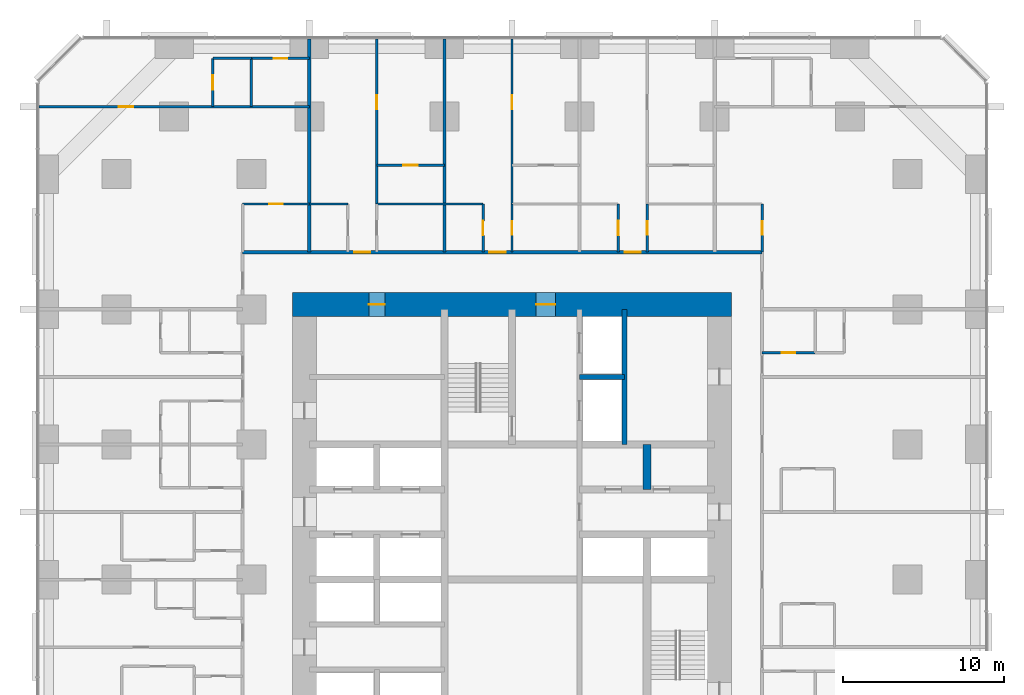
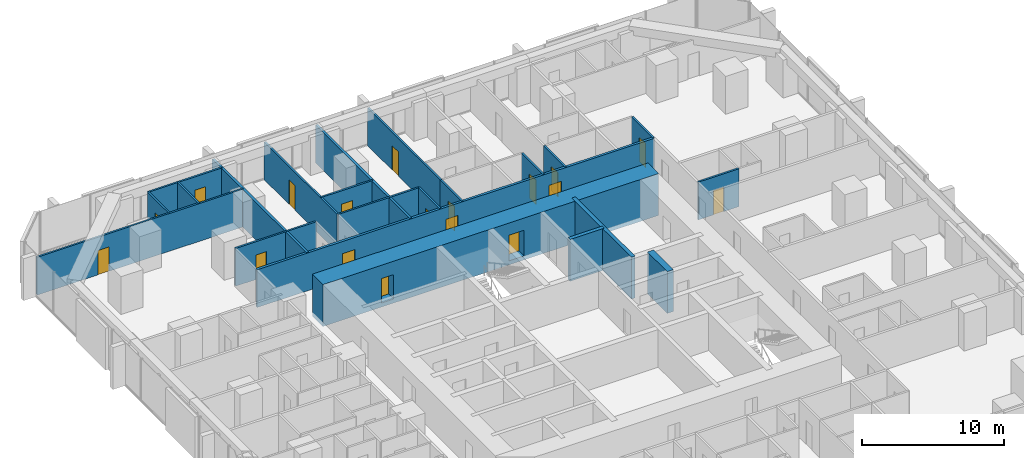
# One storey, part 15 of 17: 24 walls, 18 doors, 18 openings.
"""IFC4 building model written with IfcOpenShell, lengths in metres."""

from ifc_helpers import new_model, si_unit, direction, frame, frame_2d, origin, place, context, subcontext, project, spatial, rectangle, extrude, material, layer, layer_set, type_object, element, fill, save


model = new_model("IFC4")

# Units and contexts
model_context = context("Model", 3, precision=1e-05, world=origin(), true_north=direction((0.0, 1.0)))
body_context = subcontext(model_context, "Body", "Model", "MODEL_VIEW")
ifc_project = project(units=[si_unit("LENGTHUNIT", "METRE"), si_unit("AREAUNIT", "SQUARE_METRE"), si_unit("VOLUMEUNIT", "CUBIC_METRE"), si_unit("PLANEANGLEUNIT", "RADIAN"), si_unit("MASSUNIT", "GRAM", prefix="KILO")], contexts=[model_context])

# Site, building, storey
site_placement = place(None, origin())
site = spatial("IfcSite", under=ifc_project, at=site_placement, CompositionType="ELEMENT")
building_placement = place(site_placement, origin())
building = spatial("IfcBuilding", under=site, at=building_placement, Name="Dunama Terrace Hotel", CompositionType="ELEMENT")
storey_placement = place(building_placement, frame((0.0, 0.0, 52.199951171875)))
storey = spatial("IfcBuildingStorey", under=building, at=storey_placement, Name="L12", CompositionType="ELEMENT", Elevation=52.199951171875)

# Wall, opening, door
ifc_material_1 = material(Name="Gypsum board partition", Category="masonry")
ifc_layer_1 = layer(ifc_material_1, 0.14990234375)
ifc_layer_set_1 = layer_set([ifc_layer_1], Name="Bathroom partition 150")
wall_type_1 = type_object("IfcWallType", Name="Bathroom partition 150", PredefinedType="PARTITIONING", material=ifc_layer_set_1)
wall_1_placement = place(storey_placement, frame((29.39990234375, 45.550048828125, 0.0), z_axis=(0.0, 0.0, 1.0), x_axis=(0.0, 1.0, 0.0)))
wall_1 = element("IfcWall", 1, at=wall_1_placement, inside=storey, type_object=wall_type_1, Name="Bathroom partition 150 L12", PredefinedType="PARTITIONING", context=body_context, shape_type="SweptSolid", body=[
    extrude(rectangle(XDim=3.0, YDim=0.14990234375, at=frame_2d((1.5, 0.0))), origin(), (0.0, 0.0, 1.0), 3.25),
])
opening_1_placement = place(wall_1_placement, frame((1.074951171875, 0.0, 0.0)))
opening_1 = element("IfcOpeningElement", 2, at=opening_1_placement, cuts=wall_1, Name="Opening L12-041", PredefinedType="OPENING", context=body_context, shape_type="SweptSolid", body=[
    extrude(rectangle(XDim=0.85009765625, YDim=2.10009765625, at=frame_2d((0.425048828125, 1.050048828125))), frame((0.0, 0.0849609375, 0.0), z_axis=(0.0, -1.0, 0.0), x_axis=(1.0, 0.0, 0.0)), (0.0, 0.0, 1.0), 0.169921875),
])
ifc_material_2 = material(Name="Timber door with steel frame", Category="steel")
door_type_1 = type_object("IfcDoorType", Name="Bathroom door 850", OperationType="SINGLE_SWING_LEFT", PredefinedType="DOOR", material=ifc_material_2)
door_1_placement = place(opening_1_placement, frame((0.85009765625, 0.0, 0.0), z_axis=(0.0, 0.0, 1.0), x_axis=(-1.0, 0.0, 0.0)))
door_1 = element("IfcDoor", 3, at=door_1_placement, inside=storey, type_object=door_type_1, Name="Door to residence bathroom L12-041, type D2", OperationType="SINGLE_SWING_RIGHT", OverallHeight=2.10009765625, OverallWidth=0.85009765625, PredefinedType="DOOR", context=body_context, shape_type="SweptSolid", body=[
    extrude(rectangle(XDim=0.85009765625, YDim=2.10009765625, at=frame_2d((0.425048828125, 1.050048828125))), frame((0.0, 0.025146484375, 0.0), z_axis=(0.0, -1.0, 0.0), x_axis=(1.0, 0.0, 0.0)), (0.0, 0.0, 1.0), 0.050048828125),
])
fill(opening_1, door_1)

wall_2_placement = place(storey_placement, frame((37.800048828125, 45.550048828125, 0.0), z_axis=(0.0, 0.0, 1.0), x_axis=(0.0, 1.0, 0.0)))
wall_2 = element("IfcWall", 4, at=wall_2_placement, inside=storey, type_object=wall_type_1, Name="Bathroom partition 150 L12", PredefinedType="PARTITIONING", context=body_context, shape_type="SweptSolid", body=[
    extrude(rectangle(XDim=3.0, YDim=0.14990234375, at=frame_2d((1.5, 0.0))), origin(), (0.0, 0.0, 1.0), 3.25),
])
opening_2_placement = place(wall_2_placement, frame((1.074951171875, 0.0, 0.0)))
opening_2 = element("IfcOpeningElement", 5, at=opening_2_placement, cuts=wall_2, Name="Opening L12-046", PredefinedType="OPENING", context=body_context, shape_type="SweptSolid", body=[
    extrude(rectangle(XDim=0.85009765625, YDim=2.10009765625, at=frame_2d((0.425048828125, 1.050048828125))), frame((0.0, 0.0849609375, 0.0), z_axis=(0.0, -1.0, 0.0), x_axis=(1.0, 0.0, 0.0)), (0.0, 0.0, 1.0), 0.169921875),
])
door_2_placement = place(opening_2_placement, frame((0.85009765625, 0.0, 0.0), z_axis=(0.0, 0.0, 1.0), x_axis=(-1.0, 0.0, 0.0)))
door_2 = element("IfcDoor", 6, at=door_2_placement, inside=storey, type_object=door_type_1, Name="Door to residence bathroom L12-046, type D2", OperationType="SINGLE_SWING_RIGHT", OverallHeight=2.10009765625, OverallWidth=0.85009765625, PredefinedType="DOOR", context=body_context, shape_type="SweptSolid", body=[
    extrude(rectangle(XDim=0.85009765625, YDim=2.10009765625, at=frame_2d((0.425048828125, 1.050048828125))), frame((0.0, 0.025146484375, 0.0), z_axis=(0.0, -1.0, 0.0), x_axis=(1.0, 0.0, 0.0)), (0.0, 0.0, 1.0), 0.050048828125),
])
fill(opening_2, door_2)

wall_3_placement = place(storey_placement, frame((44.949951171875, 45.550048828125, 0.0), z_axis=(0.0, 0.0, 1.0), x_axis=(0.0, 1.0, 0.0)))
wall_3 = element("IfcWall", 7, at=wall_3_placement, inside=storey, type_object=wall_type_1, Name="Bathroom partition 150 L12", PredefinedType="PARTITIONING", context=body_context, shape_type="SweptSolid", body=[
    extrude(rectangle(XDim=3.0, YDim=0.14990234375, at=frame_2d((1.5, 0.0))), origin(), (0.0, 0.0, 1.0), 3.25),
])
opening_3_placement = place(wall_3_placement, frame((1.074951171875, 0.0, 0.0)))
opening_3 = element("IfcOpeningElement", 8, at=opening_3_placement, cuts=wall_3, Name="Opening L12-078", PredefinedType="OPENING", context=body_context, shape_type="SweptSolid", body=[
    extrude(rectangle(XDim=0.85009765625, YDim=2.10009765625, at=frame_2d((0.425048828125, 1.050048828125))), frame((0.0, 0.0849609375, 0.0), z_axis=(0.0, -1.0, 0.0), x_axis=(1.0, 0.0, 0.0)), (0.0, 0.0, 1.0), 0.169921875),
])
door_3_placement = place(opening_3_placement, origin())
door_3 = element("IfcDoor", 9, at=door_3_placement, inside=storey, type_object=door_type_1, Name="Door to powder room L12-078, type D2", OperationType="SINGLE_SWING_LEFT", OverallHeight=2.10009765625, OverallWidth=0.85009765625, PredefinedType="DOOR", context=body_context, shape_type="SweptSolid", body=[
    extrude(rectangle(XDim=0.85009765625, YDim=2.10009765625, at=frame_2d((0.425048828125, 1.050048828125))), frame((0.0, 0.02490234375, 0.0), z_axis=(0.0, -1.0, 0.0), x_axis=(1.0, 0.0, 0.0)), (0.0, 0.0, 1.0), 0.050048828125),
])
fill(opening_3, door_3)

wall_4_placement = place(storey_placement, frame((44.949951171875, 39.300048828125, 0.0), z_axis=(0.0, 0.0, 1.0), x_axis=(1.0, 0.0, 0.0)))
wall_4 = element("IfcWall", 10, at=wall_4_placement, inside=storey, type_object=wall_type_1, Name="Bathroom partition 150 L12", PredefinedType="PARTITIONING", context=body_context, shape_type="SweptSolid", body=[
    extrude(rectangle(XDim=3.300048828125, YDim=0.14990234375, at=frame_2d((1.64990234375, 0.0))), origin(), (0.0, 0.0, 1.0), 3.25),
])
opening_4_placement = place(wall_4_placement, frame((1.22509765625, 0.0, 0.0)))
opening_4 = element("IfcOpeningElement", 11, at=opening_4_placement, cuts=wall_4, Name="Opening L12-032", PredefinedType="OPENING", context=body_context, shape_type="SweptSolid", body=[
    extrude(rectangle(XDim=0.85009765625, YDim=2.10009765625, at=frame_2d((0.425048828125, 1.050048828125))), frame((0.0, 0.0849609375, 0.0), z_axis=(0.0, -1.0, 0.0), x_axis=(1.0, 0.0, 0.0)), (0.0, 0.0, 1.0), 0.169921875),
])
door_4_placement = place(opening_4_placement, origin())
door_4 = element("IfcDoor", 12, at=door_4_placement, inside=storey, type_object=door_type_1, Name="Door to en-suite bathroom L12-032, type D2", OperationType="SINGLE_SWING_LEFT", OverallHeight=2.10009765625, OverallWidth=0.85009765625, PredefinedType="DOOR", context=body_context, shape_type="SweptSolid", body=[
    extrude(rectangle(XDim=0.85009765625, YDim=2.10009765625, at=frame_2d((0.425048828125, 1.050048828125))), frame((0.0, 0.02490234375, 0.0), z_axis=(0.0, -1.0, 0.0), x_axis=(1.0, 0.0, 0.0)), (0.0, 0.0, 1.0), 0.050048828125),
])
fill(opening_4, door_4)

wall_5_placement = place(storey_placement, frame((12.64990234375, 48.550048828125, 0.0), z_axis=(0.0, 0.0, 1.0), x_axis=(1.0, 0.0, 0.0)))
wall_5 = element("IfcWall", 13, at=wall_5_placement, inside=storey, type_object=wall_type_1, Name="Bathroom partition 150 L12", PredefinedType="PARTITIONING", context=body_context, shape_type="SweptSolid", body=[
    extrude(rectangle(XDim=4.150146484375, YDim=0.14990234375, at=frame_2d((2.0751953125, 0.0))), origin(), (0.0, 0.0, 1.0), 3.25),
])
opening_5_placement = place(wall_5_placement, frame((1.64990234375, 0.0, 0.0)))
opening_5 = element("IfcOpeningElement", 14, at=opening_5_placement, cuts=wall_5, Name="Opening L12-083", PredefinedType="OPENING", context=body_context, shape_type="SweptSolid", body=[
    extrude(rectangle(XDim=0.85009765625, YDim=2.10009765625, at=frame_2d((0.425048828125, 1.050048828125))), frame((0.0, 0.0849609375, 0.0), z_axis=(0.0, -1.0, 0.0), x_axis=(1.0, 0.0, 0.0)), (0.0, 0.0, 1.0), 0.169921875),
])
door_5_placement = place(opening_5_placement, frame((0.85009765625, 0.0, 0.0), z_axis=(0.0, 0.0, 1.0), x_axis=(-1.0, 0.0, 0.0)))
door_5 = element("IfcDoor", 15, at=door_5_placement, inside=storey, type_object=door_type_1, Name="Door to powder room L12-083, type D2", OperationType="SINGLE_SWING_RIGHT", OverallHeight=2.10009765625, OverallWidth=0.85009765625, PredefinedType="DOOR", context=body_context, shape_type="SweptSolid", body=[
    extrude(rectangle(XDim=0.85009765625, YDim=2.10009765625, at=frame_2d((0.425048828125, 1.050048828125))), frame((0.0, 0.025146484375, 0.0), z_axis=(0.0, -1.0, 0.0), x_axis=(1.0, 0.0, 0.0)), (0.0, 0.0, 1.0), 0.050048828125),
])
fill(opening_5, door_5)

wall_6_placement = place(storey_placement, frame((13.199951171875, 57.60009765625, 0.0), z_axis=(0.0, 0.0, 1.0), x_axis=(1.0, 0.0, 0.0)))
wall_6 = element("IfcWall", 16, at=wall_6_placement, inside=storey, type_object=wall_type_1, Name="Bathroom partition 150 L12", PredefinedType="PARTITIONING", context=body_context, shape_type="SweptSolid", body=[
    extrude(rectangle(XDim=3.60009765625, YDim=0.14990234375, at=frame_2d((1.800048828125, 0.0))), origin(), (0.0, 0.0, 1.0), 3.25),
])
opening_6_placement = place(wall_6_placement, frame((1.375, 0.0, 0.0)))
opening_6 = element("IfcOpeningElement", 17, at=opening_6_placement, cuts=wall_6, Name="Opening L12-085", PredefinedType="OPENING", context=body_context, shape_type="SweptSolid", body=[
    extrude(rectangle(XDim=0.85009765625, YDim=2.10009765625, at=frame_2d((0.425048828125, 1.050048828125))), frame((0.0, 0.0849609375, 0.0), z_axis=(0.0, -1.0, 0.0), x_axis=(1.0, 0.0, 0.0)), (0.0, 0.0, 1.0), 0.169921875),
])
door_6_placement = place(opening_6_placement, frame((0.85009765625, 0.0, 0.0), z_axis=(0.0, 0.0, 1.0), x_axis=(-1.0, 0.0, 0.0)))
door_6 = element("IfcDoor", 18, at=door_6_placement, inside=storey, type_object=door_type_1, Name="Door to en-suite bathroom L12-085, type D2", OperationType="SINGLE_SWING_LEFT", OverallHeight=2.10009765625, OverallWidth=0.85009765625, PredefinedType="DOOR", context=body_context, shape_type="SweptSolid", body=[
    extrude(rectangle(XDim=0.85009765625, YDim=2.10009765625, at=frame_2d((0.425048828125, 1.050048828125))), frame((0.0, 0.025146484375, 0.0), z_axis=(0.0, -1.0, 0.0), x_axis=(1.0, 0.0, 0.0)), (0.0, 0.0, 1.0), 0.050048828125),
])
fill(opening_6, door_6)

# Walls
ifc_material_3 = material(Name="Concrete C50/60", Category="concrete")
ifc_layer_2 = layer(ifc_material_3, 0.300048828125)
ifc_layer_set_2 = layer_set([ifc_layer_2], Name="Core inner wall 300")
wall_type_2 = type_object("IfcWallType", Name="Core inner wall 300", PredefinedType="SHEAR", material=ifc_layer_set_2)
wall_7_placement = place(storey_placement, frame((36.39990234375, 33.60009765625, -0.349853515625), z_axis=(0.0, 0.0, 1.0), x_axis=(0.0, 1.0, 0.0)))
element("IfcWall", 19, at=wall_7_placement, inside=storey, type_object=wall_type_2, Name="Core inner wall 300 L12", PredefinedType="SHEAR", context=body_context, shape_type="SweptSolid", body=[
    extrude(rectangle(XDim=8.39990234375, YDim=0.300048828125, at=frame_2d((4.199951171875, 0.0))), origin(), (0.0, 0.0, 1.0), 3.599853515625),
])
wall_8_placement = place(storey_placement, frame((33.60009765625, 37.800048828125, -0.349853515625), z_axis=(0.0, 0.0, 1.0), x_axis=(1.0, 0.0, 0.0)))
element("IfcWall", 20, at=wall_8_placement, inside=storey, type_object=wall_type_2, Name="Core inner wall 300 L12", PredefinedType="SHEAR", context=body_context, shape_type="SweptSolid", body=[
    extrude(rectangle(XDim=2.7998046875, YDim=0.300048828125, at=frame_2d((1.39990234375, 0.0))), origin(), (0.0, 0.0, 1.0), 3.599853515625),
])
ifc_material_4 = material(Name="Concrete C50/60", Category="concrete")
ifc_layer_3 = layer(ifc_material_4, 0.5)
ifc_layer_set_3 = layer_set([ifc_layer_3], Name="Core inner wall 500")
wall_type_3 = type_object("IfcWallType", Name="Core inner wall 500", PredefinedType="SHEAR", material=ifc_layer_set_3)
wall_9_placement = place(storey_placement, frame((37.800048828125, 30.800048828125, -0.349853515625), z_axis=(0.0, 0.0, 1.0), x_axis=(0.0, 1.0, 0.0)))
element("IfcWall", 21, at=wall_9_placement, inside=storey, type_object=wall_type_3, Name="Core inner wall 500 L12", PredefinedType="SHEAR", context=body_context, shape_type="SweptSolid", body=[
    extrude(rectangle(XDim=2.800048828125, YDim=0.5, at=frame_2d((1.39990234375, 0.0))), origin(), (0.0, 0.0, 1.0), 3.599853515625),
])

# Wall, openings, doors
ifc_material_5 = material(Name="Concrete C60/75", Category="concrete")
ifc_layer_4 = layer(ifc_material_5, 1.5)
ifc_layer_set_4 = layer_set([ifc_layer_4], Name="Core wall 1500")
wall_type_4 = type_object("IfcWallType", Name="Core wall 1500", PredefinedType="SHEAR", material=ifc_layer_set_4)
wall_10_placement = place(storey_placement, frame((43.050048828125, 42.300048828125, -0.349853515625), z_axis=(0.0, 0.0, 1.0), x_axis=(-1.0, 0.0, 0.0)))
wall_10 = element("IfcWall", 22, at=wall_10_placement, inside=storey, type_object=wall_type_4, Name="Core wall north L12", PredefinedType="SHEAR", context=body_context, shape_type="SweptSolid", body=[
    extrude(rectangle(XDim=27.300048828125, YDim=1.5, at=frame_2d((13.64990234375, 0.0))), origin(), (0.0, 0.0, 1.0), 3.599853515625),
])
opening_7_placement = place(wall_10_placement, frame((21.550048828125, 0.0, 0.35009765625)))
opening_7 = element("IfcOpeningElement", 23, at=opening_7_placement, cuts=wall_10, Name="Opening L12-090", PredefinedType="OPENING", context=body_context, shape_type="SweptSolid", body=[
    extrude(rectangle(XDim=1.0, YDim=2.10009765625, at=frame_2d((0.5, 1.050048828125))), frame((0.0, 0.760009765625, 0.0), z_axis=(0.0, -1.0, 0.0), x_axis=(1.0, 0.0, 0.0)), (0.0, 0.0, 1.0), 1.52001953125),
])
opening_8_placement = place(wall_10_placement, frame((10.949951171875, 0.0, 0.35009765625)))
opening_8 = element("IfcOpeningElement", 24, at=opening_8_placement, cuts=wall_10, Name="Opening L12-095", PredefinedType="OPENING", context=body_context, shape_type="SweptSolid", body=[
    extrude(rectangle(XDim=1.199951171875, YDim=2.199951171875, at=frame_2d((0.60009765625, 1.10009765625))), frame((0.0, 0.760009765625, 0.0), z_axis=(0.0, -1.0, 0.0), x_axis=(1.0, 0.0, 0.0)), (0.0, 0.0, 1.0), 1.52001953125),
])
ifc_material_6 = material(Name="Timber door with steel frame", Category="steel")
door_type_2 = type_object("IfcDoorType", Name="Firefighting lobby door 1200", OperationType="SINGLE_SWING_LEFT", PredefinedType="DOOR", material=ifc_material_6)
door_7_placement = place(opening_8_placement, origin())
door_7 = element("IfcDoor", 25, at=door_7_placement, inside=storey, type_object=door_type_2, Name="Door to firefighting lobby L12-095, type D4", OperationType="SINGLE_SWING_RIGHT", OverallHeight=2.199951171875, OverallWidth=1.199951171875, PredefinedType="DOOR", context=body_context, shape_type="SweptSolid", body=[
    extrude(rectangle(XDim=1.199951171875, YDim=2.199951171875, at=frame_2d((0.60009765625, 1.10009765625))), frame((0.0, 0.02490234375, 0.0), z_axis=(0.0, -1.0, 0.0), x_axis=(1.0, 0.0, 0.0)), (0.0, 0.0, 1.0), 0.050048828125),
])
fill(opening_8, door_7)
ifc_material_7 = material(Name="Timber door with steel frame", Category="steel")
door_type_3 = type_object("IfcDoorType", Name="Service door 1000", OperationType="SINGLE_SWING_LEFT", PredefinedType="DOOR", material=ifc_material_7)
door_8_placement = place(opening_7_placement, origin())
door_8 = element("IfcDoor", 26, at=door_8_placement, inside=storey, type_object=door_type_3, Name="Door to communications and riser room L12-090, type D7", OperationType="SINGLE_SWING_LEFT", OverallHeight=2.10009765625, OverallWidth=1.0, PredefinedType="DOOR", context=body_context, shape_type="SweptSolid", body=[
    extrude(rectangle(XDim=1.0, YDim=2.10009765625, at=frame_2d((0.5, 1.050048828125))), frame((0.0, 0.02490234375, 0.0), z_axis=(0.0, -1.0, 0.0), x_axis=(1.0, 0.0, 0.0)), (0.0, 0.0, 1.0), 0.050048828125),
])
fill(opening_7, door_8)

ifc_material_8 = material(Name="Concrete blockwork", Category="masonry")
ifc_layer_5 = layer(ifc_material_8, 0.199951171875)
ifc_layer_set_5 = layer_set([ifc_layer_5], Name="Corridor partition 200")
wall_type_5 = type_object("IfcWallType", Name="Corridor partition 200", PredefinedType="PARTITIONING", material=ifc_layer_set_5)
wall_11_placement = place(storey_placement, frame((12.64990234375, 45.550048828125, 0.0), z_axis=(0.0, 0.0, 1.0), x_axis=(1.0, 0.0, 0.0)))
wall_11 = element("IfcWall", 27, at=wall_11_placement, inside=storey, type_object=wall_type_5, Name="Corridor partition 200 L12", PredefinedType="PARTITIONING", context=body_context, shape_type="SweptSolid", body=[
    extrude(rectangle(XDim=32.300048828125, YDim=0.199951171875, at=frame_2d((16.14990234375, 0.0))), origin(), (0.0, 0.0, 1.0), 3.25),
])
opening_9_placement = place(wall_11_placement, frame((6.949951171875, 0.0, 0.0)))
opening_9 = element("IfcOpeningElement", 28, at=opening_9_placement, cuts=wall_11, Name="Opening L12-034", PredefinedType="OPENING", context=body_context, shape_type="SweptSolid", body=[
    extrude(rectangle(XDim=1.0, YDim=2.199951171875, at=frame_2d((0.5, 1.10009765625))), frame((0.0, 0.10986328125, 0.0), z_axis=(0.0, -1.0, 0.0), x_axis=(1.0, 0.0, 0.0)), (0.0, 0.0, 1.0), 0.219970703125),
])
opening_10_placement = place(wall_11_placement, frame((15.35009765625, 0.0, 0.0)))
opening_10 = element("IfcOpeningElement", 29, at=opening_10_placement, cuts=wall_11, Name="Opening L12-039", PredefinedType="OPENING", context=body_context, shape_type="SweptSolid", body=[
    extrude(rectangle(XDim=1.0, YDim=2.199951171875, at=frame_2d((0.5, 1.10009765625))), frame((0.0, 0.10986328125, 0.0), z_axis=(0.0, -1.0, 0.0), x_axis=(1.0, 0.0, 0.0)), (0.0, 0.0, 1.0), 0.219970703125),
])
opening_11_placement = place(wall_11_placement, frame((23.75, 0.0, 0.0)))
opening_11 = element("IfcOpeningElement", 30, at=opening_11_placement, cuts=wall_11, Name="Opening L12-044", PredefinedType="OPENING", context=body_context, shape_type="SweptSolid", body=[
    extrude(rectangle(XDim=1.0, YDim=2.199951171875, at=frame_2d((0.5, 1.10009765625))), frame((0.0, 0.10986328125, 0.0), z_axis=(0.0, -1.0, 0.0), x_axis=(1.0, 0.0, 0.0)), (0.0, 0.0, 1.0), 0.219970703125),
])
ifc_material_9 = material(Name="Timber door with steel frame", Category="steel")
door_type_4 = type_object("IfcDoorType", Name="Guest room door 1000", OperationType="SINGLE_SWING_LEFT", PredefinedType="DOOR", material=ifc_material_9)
door_9_placement = place(opening_9_placement, origin())
door_9 = element("IfcDoor", 31, at=door_9_placement, inside=storey, type_object=door_type_4, Name="Door to residence living room L12-034, type D1", OperationType="SINGLE_SWING_RIGHT", OverallHeight=2.199951171875, OverallWidth=1.0, PredefinedType="DOOR", context=body_context, shape_type="SweptSolid", body=[
    extrude(rectangle(XDim=1.0, YDim=2.199951171875, at=frame_2d((0.5, 1.10009765625))), frame((0.0, 0.02490234375, 0.0), z_axis=(0.0, -1.0, 0.0), x_axis=(1.0, 0.0, 0.0)), (0.0, 0.0, 1.0), 0.050048828125),
])
fill(opening_9, door_9)
door_10_placement = place(opening_10_placement, origin())
door_10 = element("IfcDoor", 32, at=door_10_placement, inside=storey, type_object=door_type_4, Name="Door to residence living room L12-039, type D1", OperationType="SINGLE_SWING_LEFT", OverallHeight=2.199951171875, OverallWidth=1.0, PredefinedType="DOOR", context=body_context, shape_type="SweptSolid", body=[
    extrude(rectangle(XDim=1.0, YDim=2.199951171875, at=frame_2d((0.5, 1.10009765625))), frame((0.0, 0.02490234375, 0.0), z_axis=(0.0, -1.0, 0.0), x_axis=(1.0, 0.0, 0.0)), (0.0, 0.0, 1.0), 0.050048828125),
])
fill(opening_10, door_10)
door_11_placement = place(opening_11_placement, origin())
door_11 = element("IfcDoor", 33, at=door_11_placement, inside=storey, type_object=door_type_4, Name="Door to residence living room L12-044, type D1", OperationType="SINGLE_SWING_LEFT", OverallHeight=2.199951171875, OverallWidth=1.0, PredefinedType="DOOR", context=body_context, shape_type="SweptSolid", body=[
    extrude(rectangle(XDim=1.0, YDim=2.199951171875, at=frame_2d((0.5, 1.10009765625))), frame((0.0, 0.02490234375, 0.0), z_axis=(0.0, -1.0, 0.0), x_axis=(1.0, 0.0, 0.0)), (0.0, 0.0, 1.0), 0.050048828125),
])
fill(opening_11, door_11)

# Walls
ifc_material_10 = material(Name="Concrete blockwork", Category="masonry")
ifc_layer_6 = layer(ifc_material_10, 0.199951171875)
ifc_layer_set_6 = layer_set([ifc_layer_6], Name="Party wall 200")
wall_type_6 = type_object("IfcWallType", Name="Party wall 200", PredefinedType="PARTITIONING", material=ifc_layer_set_6)
for number, where, z_axis, x_axis, name in (
    (34, (16.800048828125, 45.550048828125, 0.0), (0.0, 0.0, 1.0), (0.0, 1.0, 0.0), "Party wall 200 L12"),
    (35, (25.199951171875, 45.550048828125, 0.0), (0.0, 0.0, 1.0), (0.0, 1.0, 0.0), "Party wall 200 L12"),
):
    element("IfcWall", number, at=place(storey_placement, frame(where, z_axis=z_axis, x_axis=x_axis)), inside=storey, type_object=wall_type_6, Name=name, PredefinedType="PARTITIONING", context=body_context, shape_type="SweptSolid", body=[
        extrude(rectangle(XDim=13.258056640625, YDim=0.199951171875, at=frame_2d((6.62890625, 0.0))), origin(), (0.0, 0.0, 1.0), 3.25),
    ])

# Wall, opening, door
ifc_material_11 = material(Name="Gypsum board partition", Category="masonry")
ifc_layer_7 = layer(ifc_material_11, 0.14990234375)
ifc_layer_set_7 = layer_set([ifc_layer_7], Name="Room partition 150")
wall_type_7 = type_object("IfcWallType", Name="Room partition 150", PredefinedType="PARTITIONING", material=ifc_layer_set_7)
wall_12_placement = place(storey_placement, frame((10.800048828125, 54.60009765625, 0.0), z_axis=(0.0, 0.0, 1.0), x_axis=(0.0, 1.0, 0.0)))
wall_12 = element("IfcWall", 36, at=wall_12_placement, inside=storey, type_object=wall_type_7, Name="Room partition 150 L12", PredefinedType="PARTITIONING", context=body_context, shape_type="SweptSolid", body=[
    extrude(rectangle(XDim=3.0, YDim=0.14990234375, at=frame_2d((1.5, 0.0))), origin(), (0.0, 0.0, 1.0), 3.25),
])
opening_12_placement = place(wall_12_placement, frame((1.050048828125, 0.0, 0.0)))
opening_12 = element("IfcOpeningElement", 37, at=opening_12_placement, cuts=wall_12, Name="Opening L12-086", PredefinedType="OPENING", context=body_context, shape_type="SweptSolid", body=[
    extrude(rectangle(XDim=0.89990234375, YDim=2.10009765625, at=frame_2d((0.449951171875, 1.050048828125))), frame((0.0, 0.0849609375, 0.0), z_axis=(0.0, -1.0, 0.0), x_axis=(1.0, 0.0, 0.0)), (0.0, 0.0, 1.0), 0.169921875),
])
ifc_material_12 = material(Name="Timber door with steel frame", Category="steel")
door_type_5 = type_object("IfcDoorType", Name="Suite internal door 900", OperationType="SINGLE_SWING_LEFT", PredefinedType="DOOR", material=ifc_material_12)
door_12_placement = place(opening_12_placement, frame((0.89990234375, 0.0, 0.0), z_axis=(0.0, 0.0, 1.0), x_axis=(-1.0, 0.0, 0.0)))
door_12 = element("IfcDoor", 38, at=door_12_placement, inside=storey, type_object=door_type_5, Name="Door to dressing room L12-086, type D16", OperationType="SINGLE_SWING_RIGHT", OverallHeight=2.10009765625, OverallWidth=0.89990234375, PredefinedType="DOOR", context=body_context, shape_type="SweptSolid", body=[
    extrude(rectangle(XDim=0.89990234375, YDim=2.10009765625, at=frame_2d((0.449951171875, 1.050048828125))), frame((0.0, 0.025146484375, 0.0), z_axis=(0.0, -1.0, 0.0), x_axis=(1.0, 0.0, 0.0)), (0.0, 0.0, 1.0), 0.050048828125),
])
fill(opening_12, door_12)

# Wall
wall_13_placement = place(storey_placement, frame((13.199951171875, 54.60009765625, 0.0), z_axis=(0.0, 0.0, 1.0), x_axis=(0.0, 1.0, 0.0)))
element("IfcWall", 39, at=wall_13_placement, inside=storey, type_object=wall_type_7, Name="Room partition 150 L12", PredefinedType="PARTITIONING", context=body_context, shape_type="SweptSolid", body=[
    extrude(rectangle(XDim=3.0, YDim=0.14990234375, at=frame_2d((1.5, 0.0))), origin(), (0.0, 0.0, 1.0), 3.25),
])

# Wall, opening, door
wall_14_placement = place(storey_placement, frame((21.0, 48.550048828125, 0.0), z_axis=(0.0, 0.0, 1.0), x_axis=(0.0, 1.0, 0.0)))
wall_14 = element("IfcWall", 40, at=wall_14_placement, inside=storey, type_object=wall_type_7, Name="Room partition 150 L12", PredefinedType="PARTITIONING", context=body_context, shape_type="SweptSolid", body=[
    extrude(rectangle(XDim=10.258056640625, YDim=0.14990234375, at=frame_2d((5.12890625, 0.0))), origin(), (0.0, 0.0, 1.0), 3.25),
])
opening_13_placement = place(wall_14_placement, frame((5.875, 0.0, 0.0)))
opening_13 = element("IfcOpeningElement", 41, at=opening_13_placement, cuts=wall_14, Name="Opening L12-038", PredefinedType="OPENING", context=body_context, shape_type="SweptSolid", body=[
    extrude(rectangle(XDim=0.89990234375, YDim=2.10009765625, at=frame_2d((0.449951171875, 1.050048828125))), frame((0.0, 0.0849609375, 0.0), z_axis=(0.0, -1.0, 0.0), x_axis=(1.0, 0.0, 0.0)), (0.0, 0.0, 1.0), 0.169921875),
])
door_13_placement = place(opening_13_placement, frame((0.89990234375, 0.0, 0.0), z_axis=(0.0, 0.0, 1.0), x_axis=(-1.0, 0.0, 0.0)))
door_13 = element("IfcDoor", 42, at=door_13_placement, inside=storey, type_object=door_type_5, Name="Door to residence bedroom L12-038, type D16", OperationType="SINGLE_SWING_RIGHT", OverallHeight=2.10009765625, OverallWidth=0.89990234375, PredefinedType="DOOR", context=body_context, shape_type="SweptSolid", body=[
    extrude(rectangle(XDim=0.89990234375, YDim=2.10009765625, at=frame_2d((0.449951171875, 1.050048828125))), frame((0.0, 0.025146484375, 0.0), z_axis=(0.0, -1.0, 0.0), x_axis=(1.0, 0.0, 0.0)), (0.0, 0.0, 1.0), 0.050048828125),
])
fill(opening_13, door_13)

wall_15_placement = place(storey_placement, frame((27.60009765625, 45.550048828125, 0.0), z_axis=(0.0, 0.0, 1.0), x_axis=(0.0, 1.0, 0.0)))
wall_15 = element("IfcWall", 43, at=wall_15_placement, inside=storey, type_object=wall_type_7, Name="Room partition 150 L12", PredefinedType="PARTITIONING", context=body_context, shape_type="SweptSolid", body=[
    extrude(rectangle(XDim=3.0, YDim=0.14990234375, at=frame_2d((1.5, 0.0))), origin(), (0.0, 0.0, 1.0), 3.25),
])
opening_14_placement = place(wall_15_placement, frame((1.050048828125, 0.0, 0.0)))
opening_14 = element("IfcOpeningElement", 44, at=opening_14_placement, cuts=wall_15, Name="Opening L12-040", PredefinedType="OPENING", context=body_context, shape_type="SweptSolid", body=[
    extrude(rectangle(XDim=0.89990234375, YDim=2.10009765625, at=frame_2d((0.449951171875, 1.050048828125))), frame((0.0, 0.0849609375, 0.0), z_axis=(0.0, -1.0, 0.0), x_axis=(1.0, 0.0, 0.0)), (0.0, 0.0, 1.0), 0.169921875),
])
door_14_placement = place(opening_14_placement, origin())
door_14 = element("IfcDoor", 45, at=door_14_placement, inside=storey, type_object=door_type_5, Name="Door to residence kitchen L12-040, type D16", OperationType="SINGLE_SWING_LEFT", OverallHeight=2.10009765625, OverallWidth=0.89990234375, PredefinedType="DOOR", context=body_context, shape_type="SweptSolid", body=[
    extrude(rectangle(XDim=0.89990234375, YDim=2.10009765625, at=frame_2d((0.449951171875, 1.050048828125))), frame((0.0, 0.02490234375, 0.0), z_axis=(0.0, -1.0, 0.0), x_axis=(1.0, 0.0, 0.0)), (0.0, 0.0, 1.0), 0.050048828125),
])
fill(opening_14, door_14)

wall_16_placement = place(storey_placement, frame((29.39990234375, 48.550048828125, 0.0), z_axis=(0.0, 0.0, 1.0), x_axis=(0.0, 1.0, 0.0)))
wall_16 = element("IfcWall", 46, at=wall_16_placement, inside=storey, type_object=wall_type_7, Name="Room partition 150 L12", PredefinedType="PARTITIONING", context=body_context, shape_type="SweptSolid", body=[
    extrude(rectangle(XDim=10.258056640625, YDim=0.14990234375, at=frame_2d((5.12890625, 0.0))), origin(), (0.0, 0.0, 1.0), 3.25),
])
opening_15_placement = place(wall_16_placement, frame((5.875, 0.0, 0.0)))
opening_15 = element("IfcOpeningElement", 47, at=opening_15_placement, cuts=wall_16, Name="Opening L12-043", PredefinedType="OPENING", context=body_context, shape_type="SweptSolid", body=[
    extrude(rectangle(XDim=0.89990234375, YDim=2.10009765625, at=frame_2d((0.449951171875, 1.050048828125))), frame((0.0, 0.0849609375, 0.0), z_axis=(0.0, -1.0, 0.0), x_axis=(1.0, 0.0, 0.0)), (0.0, 0.0, 1.0), 0.169921875),
])
door_15_placement = place(opening_15_placement, frame((0.89990234375, 0.0, 0.0), z_axis=(0.0, 0.0, 1.0), x_axis=(-1.0, 0.0, 0.0)))
door_15 = element("IfcDoor", 48, at=door_15_placement, inside=storey, type_object=door_type_5, Name="Door to residence bedroom L12-043, type D16", OperationType="SINGLE_SWING_RIGHT", OverallHeight=2.10009765625, OverallWidth=0.89990234375, PredefinedType="DOOR", context=body_context, shape_type="SweptSolid", body=[
    extrude(rectangle(XDim=0.89990234375, YDim=2.10009765625, at=frame_2d((0.449951171875, 1.050048828125))), frame((0.0, 0.025146484375, 0.0), z_axis=(0.0, -1.0, 0.0), x_axis=(1.0, 0.0, 0.0)), (0.0, 0.0, 1.0), 0.050048828125),
])
fill(opening_15, door_15)

wall_17_placement = place(storey_placement, frame((36.0, 45.550048828125, 0.0), z_axis=(0.0, 0.0, 1.0), x_axis=(0.0, 1.0, 0.0)))
wall_17 = element("IfcWall", 49, at=wall_17_placement, inside=storey, type_object=wall_type_7, Name="Room partition 150 L12", PredefinedType="PARTITIONING", context=body_context, shape_type="SweptSolid", body=[
    extrude(rectangle(XDim=3.0, YDim=0.14990234375, at=frame_2d((1.5, 0.0))), origin(), (0.0, 0.0, 1.0), 3.25),
])
opening_16_placement = place(wall_17_placement, frame((1.050048828125, 0.0, 0.0)))
opening_16 = element("IfcOpeningElement", 50, at=opening_16_placement, cuts=wall_17, Name="Opening L12-045", PredefinedType="OPENING", context=body_context, shape_type="SweptSolid", body=[
    extrude(rectangle(XDim=0.89990234375, YDim=2.10009765625, at=frame_2d((0.449951171875, 1.050048828125))), frame((0.0, 0.0849609375, 0.0), z_axis=(0.0, -1.0, 0.0), x_axis=(1.0, 0.0, 0.0)), (0.0, 0.0, 1.0), 0.169921875),
])
door_16_placement = place(opening_16_placement, origin())
door_16 = element("IfcDoor", 51, at=door_16_placement, inside=storey, type_object=door_type_5, Name="Door to residence kitchen L12-045, type D16", OperationType="SINGLE_SWING_LEFT", OverallHeight=2.10009765625, OverallWidth=0.89990234375, PredefinedType="DOOR", context=body_context, shape_type="SweptSolid", body=[
    extrude(rectangle(XDim=0.89990234375, YDim=2.10009765625, at=frame_2d((0.449951171875, 1.050048828125))), frame((0.0, 0.02490234375, 0.0), z_axis=(0.0, -1.0, 0.0), x_axis=(1.0, 0.0, 0.0)), (0.0, 0.0, 1.0), 0.050048828125),
])
fill(opening_16, door_16)

# Walls
wall_18_placement = place(storey_placement, frame((16.800048828125, 48.550048828125, 0.0), z_axis=(0.0, 0.0, 1.0), x_axis=(1.0, 0.0, 0.0)))
element("IfcWall", 52, at=wall_18_placement, inside=storey, type_object=wall_type_7, Name="Room partition 150 L12", PredefinedType="PARTITIONING", context=body_context, shape_type="SweptSolid", body=[
    extrude(rectangle(XDim=2.39990234375, YDim=0.14990234375, at=frame_2d((1.199951171875, 0.0))), origin(), (0.0, 0.0, 1.0), 3.25),
])
wall_19_placement = place(storey_placement, frame((21.0, 48.550048828125, 0.0), z_axis=(0.0, 0.0, 1.0), x_axis=(1.0, 0.0, 0.0)))
element("IfcWall", 53, at=wall_19_placement, inside=storey, type_object=wall_type_7, Name="Room partition 150 L12", PredefinedType="PARTITIONING", context=body_context, shape_type="SweptSolid", body=[
    extrude(rectangle(XDim=6.60009765625, YDim=0.14990234375, at=frame_2d((3.300048828125, 0.0))), origin(), (0.0, 0.0, 1.0), 3.25),
])

# Wall, opening, door
wall_20_placement = place(storey_placement, frame((21.0, 50.949951171875, 0.0), z_axis=(0.0, 0.0, 1.0), x_axis=(1.0, 0.0, 0.0)))
wall_20 = element("IfcWall", 54, at=wall_20_placement, inside=storey, type_object=wall_type_7, Name="Room partition 150 L12", PredefinedType="PARTITIONING", context=body_context, shape_type="SweptSolid", body=[
    extrude(rectangle(XDim=4.199951171875, YDim=0.14990234375, at=frame_2d((2.10009765625, 0.0))), origin(), (0.0, 0.0, 1.0), 3.25),
])
opening_17_placement = place(wall_20_placement, frame((1.64990234375, 0.0, 0.0)))
opening_17 = element("IfcOpeningElement", 55, at=opening_17_placement, cuts=wall_20, Name="Opening L12-037", PredefinedType="OPENING", context=body_context, shape_type="SweptSolid", body=[
    extrude(rectangle(XDim=0.89990234375, YDim=2.10009765625, at=frame_2d((0.449951171875, 1.050048828125))), frame((0.0, 0.0849609375, 0.0), z_axis=(0.0, -1.0, 0.0), x_axis=(1.0, 0.0, 0.0)), (0.0, 0.0, 1.0), 0.169921875),
])
door_17_placement = place(opening_17_placement, frame((0.89990234375, 0.0, 0.0), z_axis=(0.0, 0.0, 1.0), x_axis=(-1.0, 0.0, 0.0)))
door_17 = element("IfcDoor", 56, at=door_17_placement, inside=storey, type_object=door_type_5, Name="Door to walk-in wardrobe L12-037, type D16", OperationType="SINGLE_SWING_RIGHT", OverallHeight=2.10009765625, OverallWidth=0.89990234375, PredefinedType="DOOR", context=body_context, shape_type="SweptSolid", body=[
    extrude(rectangle(XDim=0.89990234375, YDim=2.10009765625, at=frame_2d((0.449951171875, 1.050048828125))), frame((0.0, 0.025146484375, 0.0), z_axis=(0.0, -1.0, 0.0), x_axis=(1.0, 0.0, 0.0)), (0.0, 0.0, 1.0), 0.050048828125),
])
fill(opening_17, door_17)

wall_21_placement = place(storey_placement, frame((-0.008056640625, 54.60009765625, 0.0), z_axis=(0.0, 0.0, 1.0), x_axis=(1.0, 0.0, 0.0)))
wall_21 = element("IfcWall", 57, at=wall_21_placement, inside=storey, type_object=wall_type_7, Name="Room partition 150 L12", PredefinedType="PARTITIONING", context=body_context, shape_type="SweptSolid", body=[
    extrude(rectangle(XDim=16.80810546875, YDim=0.14990234375, at=frame_2d((8.404052734375, 0.0))), origin(), (0.0, 0.0, 1.0), 3.25),
])
opening_18_placement = place(wall_21_placement, frame((4.9580078125, 0.0, 0.0)))
opening_18 = element("IfcOpeningElement", 58, at=opening_18_placement, cuts=wall_21, Name="Opening L12-084", PredefinedType="OPENING", context=body_context, shape_type="SweptSolid", body=[
    extrude(rectangle(XDim=0.89990234375, YDim=2.10009765625, at=frame_2d((0.449951171875, 1.050048828125))), frame((0.0, 0.0849609375, 0.0), z_axis=(0.0, -1.0, 0.0), x_axis=(1.0, 0.0, 0.0)), (0.0, 0.0, 1.0), 0.169921875),
])
door_18_placement = place(opening_18_placement, origin())
door_18 = element("IfcDoor", 59, at=door_18_placement, inside=storey, type_object=door_type_5, Name="Door to corner suite bedroom L12-084, type D16", OperationType="SINGLE_SWING_RIGHT", OverallHeight=2.10009765625, OverallWidth=0.89990234375, PredefinedType="DOOR", context=body_context, shape_type="SweptSolid", body=[
    extrude(rectangle(XDim=0.89990234375, YDim=2.10009765625, at=frame_2d((0.449951171875, 1.050048828125))), frame((0.0, 0.02490234375, 0.0), z_axis=(0.0, -1.0, 0.0), x_axis=(1.0, 0.0, 0.0)), (0.0, 0.0, 1.0), 0.050048828125),
])
fill(opening_18, door_18)

# Wall
wall_22_placement = place(storey_placement, frame((10.800048828125, 57.60009765625, 0.0), z_axis=(0.0, 0.0, 1.0), x_axis=(1.0, 0.0, 0.0)))
element("IfcWall", 60, at=wall_22_placement, inside=storey, type_object=wall_type_7, Name="Room partition 150 L12", PredefinedType="PARTITIONING", context=body_context, shape_type="SweptSolid", body=[
    extrude(rectangle(XDim=2.39990234375, YDim=0.14990234375, at=frame_2d((1.199951171875, 0.0))), origin(), (0.0, 0.0, 1.0), 3.25),
])

save(model, "model.ifc")
